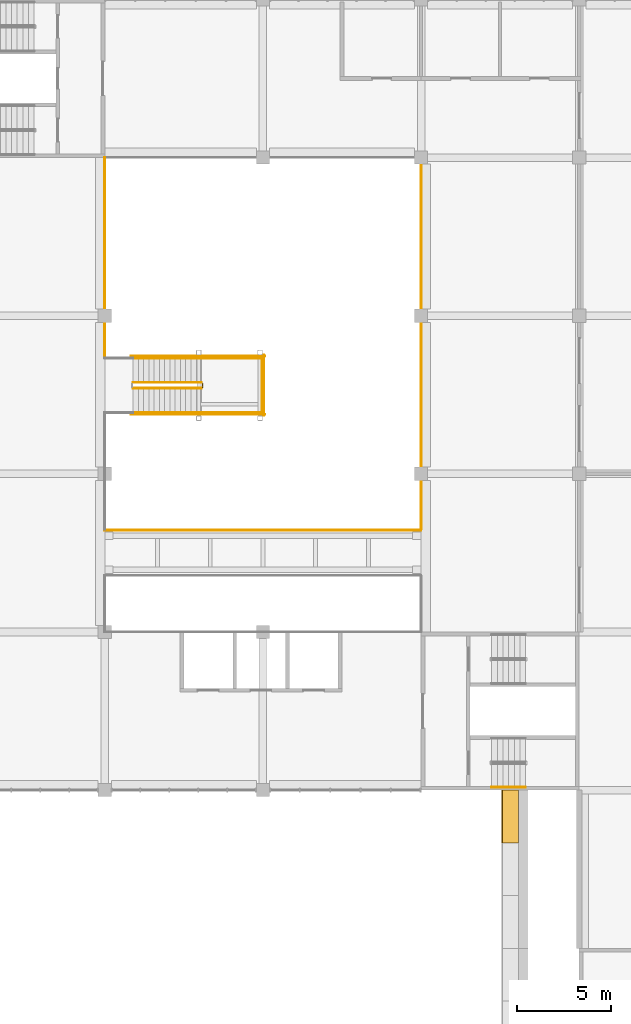
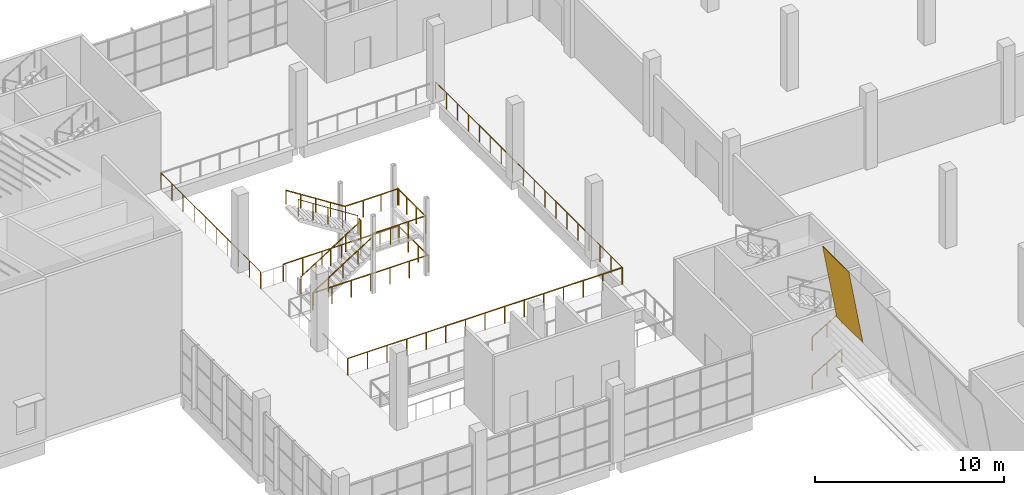
# One storey, part 70 of 82: 16 railings, 1 covering.
"""IFC4 building model written with IfcOpenShell, lengths in metres."""

from ifc_helpers import new_model, si_unit, direction, frame, origin, origin_2d, place, context, subcontext, project, spatial, polyline, circle, outline, extrude, material, layer, layer_set, type_object, element, save


model = new_model("IFC4")

# Units and contexts
model_context = context("Model", 3, precision=1e-05, world=origin(), true_north=direction((0.0, 1.0)))
body_context = subcontext(model_context, "Body", "Model", "MODEL_VIEW")
ifc_project = project(units=[si_unit("LENGTHUNIT", "METRE"), si_unit("AREAUNIT", "SQUARE_METRE"), si_unit("VOLUMEUNIT", "CUBIC_METRE"), si_unit("PLANEANGLEUNIT", "RADIAN"), si_unit("MASSUNIT", "GRAM", prefix="KILO")], contexts=[model_context])

# Site, building, storey
site_placement = place(None, origin())
site = spatial("IfcSite", under=ifc_project, at=site_placement, CompositionType="ELEMENT")
building_placement = place(site_placement, origin())
building = spatial("IfcBuilding", under=site, at=building_placement, Name="Almond Square Museum", CompositionType="ELEMENT")
storey_placement = place(building_placement, frame((0.0, 0.0, 20.0)))
storey = spatial("IfcBuildingStorey", under=building, at=storey_placement, Name="L03", CompositionType="ELEMENT", Elevation=20.0)

# Railings
ifc_material_1 = material(Name="Laminated glass and stainless steel", Category="steel")
railing_type_1 = type_object("IfcRailingType", Name="Atrium bridge guard 1100", PredefinedType="GUARDRAIL", material=ifc_material_1)
railing_1_placement = place(storey_placement, frame((81.60009765625, 81.0, 0.0)))
element("IfcRailing", 1, at=railing_1_placement, inside=storey, type_object=railing_type_1, Name="BR-L03-1 bridge guard north", PredefinedType="GUARDRAIL", context=body_context, shape_type="SweptSolid", body=[
    extrude(circle(Radius=0.02392578125, at=origin_2d()), frame((0.0, 0.0, 1.076171875), z_axis=(1.0, 0.0, 0.0), x_axis=(0.0, 1.0, 0.0)), (0.0, 0.0, 1.0), 16.7998046875),
    extrude(circle(Radius=0.02099609375, at=origin_2d()), origin(), (0.0, 0.0, 1.0), 1.052001953125),
    extrude(circle(Radius=0.02099609375, at=origin_2d()), frame((1.199951171875, 0.0, 0.0)), (0.0, 0.0, 1.0), 1.052001953125),
    extrude(circle(Radius=0.02099609375, at=origin_2d()), frame((2.39990234375, 0.0, 0.0)), (0.0, 0.0, 1.0), 1.052001953125),
    extrude(circle(Radius=0.02099609375, at=origin_2d()), frame((3.599853515625, 0.0, 0.0)), (0.0, 0.0, 1.0), 1.052001953125),
    extrude(circle(Radius=0.02099609375, at=origin_2d()), frame((4.800048828125, 0.0, 0.0)), (0.0, 0.0, 1.0), 1.052001953125),
    extrude(circle(Radius=0.02099609375, at=origin_2d()), frame((6.0, 0.0, 0.0)), (0.0, 0.0, 1.0), 1.052001953125),
    extrude(circle(Radius=0.02099609375, at=origin_2d()), frame((7.199951171875, 0.0, 0.0)), (0.0, 0.0, 1.0), 1.052001953125),
    extrude(circle(Radius=0.02099609375, at=origin_2d()), frame((8.39990234375, 0.0, 0.0)), (0.0, 0.0, 1.0), 1.052001953125),
    extrude(circle(Radius=0.02099609375, at=origin_2d()), frame((9.599853515625, 0.0, 0.0)), (0.0, 0.0, 1.0), 1.052001953125),
    extrude(circle(Radius=0.02099609375, at=origin_2d()), frame((10.7998046875, 0.0, 0.0)), (0.0, 0.0, 1.0), 1.052001953125),
    extrude(circle(Radius=0.02099609375, at=origin_2d()), frame((11.999755859375, 0.0, 0.0)), (0.0, 0.0, 1.0), 1.052001953125),
    extrude(circle(Radius=0.02099609375, at=origin_2d()), frame((13.199951171875, 0.0, 0.0)), (0.0, 0.0, 1.0), 1.052001953125),
    extrude(circle(Radius=0.02099609375, at=origin_2d()), frame((14.39990234375, 0.0, 0.0)), (0.0, 0.0, 1.0), 1.052001953125),
    extrude(circle(Radius=0.02099609375, at=origin_2d()), frame((15.599853515625, 0.0, 0.0)), (0.0, 0.0, 1.0), 1.052001953125),
    extrude(circle(Radius=0.02099609375, at=origin_2d()), frame((16.7998046875, 0.0, 0.0)), (0.0, 0.0, 1.0), 1.052001953125),
])
ifc_material_2 = material(Name="Laminated glass and stainless steel", Category="steel")
railing_type_2 = type_object("IfcRailingType", Name="Atrium guard 1100 glass balustrade", PredefinedType="GUARDRAIL", material=ifc_material_2)
railing_2_placement = place(storey_placement, frame((81.60009765625, 90.25, 0.0)))
element("IfcRailing", 2, at=railing_2_placement, inside=storey, type_object=railing_type_2, Name="L03 atrium guard 3", PredefinedType="GUARDRAIL", context=body_context, shape_type="SweptSolid", body=[
    extrude(circle(Radius=0.02392578125, at=origin_2d()), frame((0.0, 0.0, 1.076171875), z_axis=(0.0, 1.0, 0.0), x_axis=(-1.0, 0.0, 0.0)), (0.0, 0.0, 1.0), 10.550048828125),
    extrude(circle(Radius=0.02099609375, at=origin_2d()), origin(), (0.0, 0.0, 1.0), 1.052001953125),
    extrude(circle(Radius=0.02099609375, at=origin_2d()), frame((0.0, 1.172119140625, 0.0)), (0.0, 0.0, 1.0), 1.052001953125),
    extrude(circle(Radius=0.02099609375, at=origin_2d()), frame((0.0, 2.344482421875, 0.0)), (0.0, 0.0, 1.0), 1.052001953125),
    extrude(circle(Radius=0.02099609375, at=origin_2d()), frame((0.0, 3.5166015625, 0.0)), (0.0, 0.0, 1.0), 1.052001953125),
    extrude(circle(Radius=0.02099609375, at=origin_2d()), frame((0.0, 4.68896484375, 0.0)), (0.0, 0.0, 1.0), 1.052001953125),
    extrude(circle(Radius=0.02099609375, at=origin_2d()), frame((0.0, 5.861083984375, 0.0)), (0.0, 0.0, 1.0), 1.052001953125),
    extrude(circle(Radius=0.02099609375, at=origin_2d()), frame((0.0, 7.033447265625, 0.0)), (0.0, 0.0, 1.0), 1.052001953125),
    extrude(circle(Radius=0.02099609375, at=origin_2d()), frame((0.0, 8.20556640625, 0.0)), (0.0, 0.0, 1.0), 1.052001953125),
    extrude(circle(Radius=0.02099609375, at=origin_2d()), frame((0.0, 9.3779296875, 0.0)), (0.0, 0.0, 1.0), 1.052001953125),
    extrude(circle(Radius=0.02099609375, at=origin_2d()), frame((0.0, 10.550048828125, 0.0)), (0.0, 0.0, 1.0), 1.052001953125),
])
railing_3_placement = place(storey_placement, frame((98.39990234375, 81.050048828125, 0.0)))
element("IfcRailing", 3, at=railing_3_placement, inside=storey, type_object=railing_type_2, Name="L03 atrium guard 5", PredefinedType="GUARDRAIL", context=body_context, shape_type="SweptSolid", body=[
    extrude(circle(Radius=0.02392578125, at=origin_2d()), frame((0.0, 0.0, 1.076171875), z_axis=(0.0, 1.0, 0.0), x_axis=(-1.0, 0.0, 0.0)), (0.0, 0.0, 1.0), 19.75),
    extrude(circle(Radius=0.02099609375, at=origin_2d()), origin(), (0.0, 0.0, 1.0), 1.052001953125),
    extrude(circle(Radius=0.02099609375, at=origin_2d()), frame((0.0, 1.161865234375, 0.0)), (0.0, 0.0, 1.0), 1.052001953125),
    extrude(circle(Radius=0.02099609375, at=origin_2d()), frame((0.0, 2.323486328125, 0.0)), (0.0, 0.0, 1.0), 1.052001953125),
    extrude(circle(Radius=0.02099609375, at=origin_2d()), frame((0.0, 3.4853515625, 0.0)), (0.0, 0.0, 1.0), 1.052001953125),
    extrude(circle(Radius=0.02099609375, at=origin_2d()), frame((0.0, 4.64697265625, 0.0)), (0.0, 0.0, 1.0), 1.052001953125),
    extrude(circle(Radius=0.02099609375, at=origin_2d()), frame((0.0, 5.808837890625, 0.0)), (0.0, 0.0, 1.0), 1.052001953125),
    extrude(circle(Radius=0.02099609375, at=origin_2d()), frame((0.0, 6.970703125, 0.0)), (0.0, 0.0, 1.0), 1.052001953125),
    extrude(circle(Radius=0.02099609375, at=origin_2d()), frame((0.0, 8.13232421875, 0.0)), (0.0, 0.0, 1.0), 1.052001953125),
    extrude(circle(Radius=0.02099609375, at=origin_2d()), frame((0.0, 9.294189453125, 0.0)), (0.0, 0.0, 1.0), 1.052001953125),
    extrude(circle(Radius=0.02099609375, at=origin_2d()), frame((0.0, 10.455810546875, 0.0)), (0.0, 0.0, 1.0), 1.052001953125),
    extrude(circle(Radius=0.02099609375, at=origin_2d()), frame((0.0, 11.61767578125, 0.0)), (0.0, 0.0, 1.0), 1.052001953125),
    extrude(circle(Radius=0.02099609375, at=origin_2d()), frame((0.0, 12.779296875, 0.0)), (0.0, 0.0, 1.0), 1.052001953125),
    extrude(circle(Radius=0.02099609375, at=origin_2d()), frame((0.0, 13.941162109375, 0.0)), (0.0, 0.0, 1.0), 1.052001953125),
    extrude(circle(Radius=0.02099609375, at=origin_2d()), frame((0.0, 15.10302734375, 0.0)), (0.0, 0.0, 1.0), 1.052001953125),
    extrude(circle(Radius=0.02099609375, at=origin_2d()), frame((0.0, 16.2646484375, 0.0)), (0.0, 0.0, 1.0), 1.052001953125),
    extrude(circle(Radius=0.02099609375, at=origin_2d()), frame((0.0, 17.426513671875, 0.0)), (0.0, 0.0, 1.0), 1.052001953125),
    extrude(circle(Radius=0.02099609375, at=origin_2d()), frame((0.0, 18.588134765625, 0.0)), (0.0, 0.0, 1.0), 1.052001953125),
    extrude(circle(Radius=0.02099609375, at=origin_2d()), frame((0.0, 19.75, 0.0)), (0.0, 0.0, 1.0), 1.052001953125),
])

# Covering
ifc_material_3 = material(Name="Cedar timber sheathing panel", Category="wood")
ifc_layer = layer(ifc_material_3, 0.030029296875)
ifc_layer_set = layer_set([ifc_layer], Name="Cedar timber sheathing panel")
covering_type = type_object("IfcCoveringType", Name="Louvre rain-screen backing panel 30", PredefinedType="CLADDING", material=ifc_layer_set)
covering_placement = place(storey_placement, frame((103.5537109375, 64.39990234375, 4.469970703125), z_axis=(0.984808947576, 0.0, 0.173641402823), x_axis=(0.0, 1.0, 0.0)))
element("IfcCovering", 4, at=covering_placement, inside=storey, type_object=covering_type, Name="Louvre rain-screen backing panel W06.06", PredefinedType="CLADDING", context=body_context, shape_type="SweptSolid", body=[
    extrude(outline(polyline([(0.0, 0.0), (2.800048828125, 0.0), (2.800048828125, 4.935076426587713), (0.0, 4.935076426587713), (0.0, 0.0)])), frame((0.0, 0.0, -0.01513671875)), (0.0, 0.0, 1.0), 0.030029296875),
])

# Railings
ifc_material_4 = material(Name="Stainless steel and laminated glass", Category="steel")
railing_type_3 = type_object("IfcRailingType", Name="Stair guard 1100 steel and glass", PredefinedType="GUARDRAIL", material=ifc_material_4)
railing_4_placement = place(storey_placement, frame((83.10009765625, 88.550048828125, 0.178466796875)))
element("IfcRailing", 5, at=railing_4_placement, inside=storey, type_object=railing_type_3, Name="L03 ST-F stair guard 1", PredefinedType="GUARDRAIL", context=body_context, shape_type="SweptSolid", body=[
    extrude(circle(Radius=0.02392578125, at=origin_2d()), frame((0.0, 0.0, 1.076171875), z_axis=(0.843111507901, 0.0, 0.53773877045), x_axis=(0.0, 1.0, 0.0)), (0.0, 0.0, 1.0), 4.317138671875),
    extrude(circle(Radius=0.02099609375, at=origin_2d()), origin(), (0.0, 0.0, 1.0), 1.052001953125),
    extrude(circle(Radius=0.02099609375, at=origin_2d()), frame((0.909912109375, 0.0, 0.580322265625)), (0.0, 0.0, 1.0), 1.052001953125),
    extrude(circle(Radius=0.02099609375, at=origin_2d()), frame((1.81982421875, 0.0, 1.16064453125)), (0.0, 0.0, 1.0), 1.052001953125),
    extrude(circle(Radius=0.02099609375, at=origin_2d()), frame((2.72998046875, 0.0, 1.7412109375)), (0.0, 0.0, 1.0), 1.052001953125),
    extrude(circle(Radius=0.02099609375, at=origin_2d()), frame((3.639892578125, 0.0, 2.321533203125)), (0.0, 0.0, 1.0), 1.052001953125),
])
railing_5_placement = place(storey_placement, frame((86.7900390625, 88.60009765625, 2.5)))
element("IfcRailing", 6, at=railing_5_placement, inside=storey, type_object=railing_type_3, Name="L03 ST-F stair guard 2", PredefinedType="GUARDRAIL", context=body_context, shape_type="SweptSolid", body=[
    extrude(circle(Radius=0.02392578125, at=origin_2d()), frame((0.0, 0.0, 1.076171875), z_axis=(0.0, 1.0, 0.0), x_axis=(-1.0, 0.0, 0.0)), (0.0, 0.0, 1.0), 0.199951171875),
    extrude(circle(Radius=0.02099609375, at=origin_2d()), origin(), (0.0, 0.0, 1.0), 1.052001953125),
    extrude(circle(Radius=0.02099609375, at=origin_2d()), frame((0.0, 0.199951171875, 0.0)), (0.0, 0.0, 1.0), 1.052001953125),
])
for number, where, name in (
    (7, (86.739990234375, 87.25, 2.5), "L03 ST-F stair guard 3"),
    (8, (86.739990234375, 90.14990234375, 2.5), "L03 ST-F stair guard 4"),
):
    element("IfcRailing", number, at=place(storey_placement, frame(where)), inside=storey, type_object=railing_type_3, Name=name, PredefinedType="GUARDRAIL", context=body_context, shape_type="SweptSolid", body=[
        extrude(circle(Radius=0.02392578125, at=origin_2d()), frame((0.0, 0.0, 1.076171875), z_axis=(1.0, 0.0, 0.0), x_axis=(0.0, 1.0, 0.0)), (0.0, 0.0, 1.0), 3.260009765625),
        extrude(circle(Radius=0.02099609375, at=origin_2d()), origin(), (0.0, 0.0, 1.0), 1.052001953125),
        extrude(circle(Radius=0.02099609375, at=origin_2d()), frame((1.086669921875, 0.0, 0.0)), (0.0, 0.0, 1.0), 1.052001953125),
        extrude(circle(Radius=0.02099609375, at=origin_2d()), frame((2.17333984375, 0.0, 0.0)), (0.0, 0.0, 1.0), 1.052001953125),
        extrude(circle(Radius=0.02099609375, at=origin_2d()), frame((3.260009765625, 0.0, 0.0)), (0.0, 0.0, 1.0), 1.052001953125),
    ])
railing_6_placement = place(storey_placement, frame((89.949951171875, 87.199951171875, 2.5)))
element("IfcRailing", 9, at=railing_6_placement, inside=storey, type_object=railing_type_3, Name="L03 ST-F stair guard 5", PredefinedType="GUARDRAIL", context=body_context, shape_type="SweptSolid", body=[
    extrude(circle(Radius=0.02392578125, at=origin_2d()), frame((0.0, 0.0, 1.076171875), z_axis=(0.0, 1.0, 0.0), x_axis=(-1.0, 0.0, 0.0)), (0.0, 0.0, 1.0), 3.0),
    extrude(circle(Radius=0.02099609375, at=origin_2d()), origin(), (0.0, 0.0, 1.0), 1.052001953125),
    extrude(circle(Radius=0.02099609375, at=origin_2d()), frame((0.0, 1.0, 0.0)), (0.0, 0.0, 1.0), 1.052001953125),
    extrude(circle(Radius=0.02099609375, at=origin_2d()), frame((0.0, 2.0, 0.0)), (0.0, 0.0, 1.0), 1.052001953125),
    extrude(circle(Radius=0.02099609375, at=origin_2d()), frame((0.0, 3.0, 0.0)), (0.0, 0.0, 1.0), 1.052001953125),
])
railing_7_placement = place(storey_placement, frame((86.739990234375, 88.85009765625, 2.678466796875)))
element("IfcRailing", 10, at=railing_7_placement, inside=storey, type_object=railing_type_3, Name="L03 ST-F stair guard 6", PredefinedType="GUARDRAIL", context=body_context, shape_type="SweptSolid", body=[
    extrude(circle(Radius=0.02392578125, at=origin_2d()), frame((0.0, 0.0, 1.076171875), z_axis=(-0.843111507901, 0.0, 0.53773877045), x_axis=(0.0, -1.0, 0.0)), (0.0, 0.0, 1.0), 4.317138671875),
    extrude(circle(Radius=0.02099609375, at=origin_2d()), origin(), (0.0, 0.0, 1.0), 1.052001953125),
    extrude(circle(Radius=0.02099609375, at=origin_2d()), frame((-0.909912109375, 0.0, 0.580322265625)), (0.0, 0.0, 1.0), 1.052001953125),
    extrude(circle(Radius=0.02099609375, at=origin_2d()), frame((-1.81982421875, 0.0, 1.16064453125)), (0.0, 0.0, 1.0), 1.052001953125),
    extrude(circle(Radius=0.02099609375, at=origin_2d()), frame((-2.72998046875, 0.0, 1.7412109375)), (0.0, 0.0, 1.0), 1.052001953125),
    extrude(circle(Radius=0.02099609375, at=origin_2d()), frame((-3.639892578125, 0.0, 2.321533203125)), (0.0, 0.0, 1.0), 1.052001953125),
])
for number, where, name in (
    (11, (83.0, 87.14990234375, 0.0), "L03 ST-F stair guard 10"),
    (12, (83.0, 90.25, 0.0), "L03 ST-F stair guard 11"),
):
    element("IfcRailing", number, at=place(storey_placement, frame(where)), inside=storey, type_object=railing_type_3, Name=name, PredefinedType="GUARDRAIL", context=body_context, shape_type="SweptSolid", body=[
        extrude(circle(Radius=0.02392578125, at=origin_2d()), frame((0.0, 0.0, 1.076171875), z_axis=(1.0, 0.0, 0.0), x_axis=(0.0, 1.0, 0.0)), (0.0, 0.0, 1.0), 7.10009765625),
        extrude(circle(Radius=0.02099609375, at=origin_2d()), origin(), (0.0, 0.0, 1.0), 1.052001953125),
        extrude(circle(Radius=0.02099609375, at=origin_2d()), frame((1.183349609375, 0.0, 0.0)), (0.0, 0.0, 1.0), 1.052001953125),
        extrude(circle(Radius=0.02099609375, at=origin_2d()), frame((2.36669921875, 0.0, 0.0)), (0.0, 0.0, 1.0), 1.052001953125),
        extrude(circle(Radius=0.02099609375, at=origin_2d()), frame((3.550048828125, 0.0, 0.0)), (0.0, 0.0, 1.0), 1.052001953125),
        extrude(circle(Radius=0.02099609375, at=origin_2d()), frame((4.7333984375, 0.0, 0.0)), (0.0, 0.0, 1.0), 1.052001953125),
        extrude(circle(Radius=0.02099609375, at=origin_2d()), frame((5.916748046875, 0.0, 0.0)), (0.0, 0.0, 1.0), 1.052001953125),
        extrude(circle(Radius=0.02099609375, at=origin_2d()), frame((7.10009765625, 0.0, 0.0)), (0.0, 0.0, 1.0), 1.052001953125),
    ])
railing_8_placement = place(storey_placement, frame((90.050048828125, 87.10009765625, 0.0)))
element("IfcRailing", 13, at=railing_8_placement, inside=storey, type_object=railing_type_3, Name="L03 ST-F stair guard 12", PredefinedType="GUARDRAIL", context=body_context, shape_type="SweptSolid", body=[
    extrude(circle(Radius=0.02392578125, at=origin_2d()), frame((0.0, 0.0, 1.076171875), z_axis=(0.0, 1.0, 0.0), x_axis=(-1.0, 0.0, 0.0)), (0.0, 0.0, 1.0), 3.199951171875),
    extrude(circle(Radius=0.02099609375, at=origin_2d()), origin(), (0.0, 0.0, 1.0), 1.052001953125),
    extrude(circle(Radius=0.02099609375, at=origin_2d()), frame((0.0, 1.066650390625, 0.0)), (0.0, 0.0, 1.0), 1.052001953125),
    extrude(circle(Radius=0.02099609375, at=origin_2d()), frame((0.0, 2.13330078125, 0.0)), (0.0, 0.0, 1.0), 1.052001953125),
    extrude(circle(Radius=0.02099609375, at=origin_2d()), frame((0.0, 3.199951171875, 0.0)), (0.0, 0.0, 1.0), 1.052001953125),
])
ifc_material_5 = material(Name="Stainless steel", Category="steel")
railing_type_4 = type_object("IfcRailingType", Name="Stair handrail 900 steel", PredefinedType="HANDRAIL", material=ifc_material_5)
for number, where, name in (
    (14, (102.14990234375, 67.35498046875, 0.178466796875), "L03 ST-11 stair handrail 1"),
    (15, (102.14990234375, 67.35498046875, 2.678466796875), "L03 ST-11 stair handrail 3"),
):
    element("IfcRailing", number, at=place(storey_placement, frame(where)), inside=storey, type_object=railing_type_4, Name=name, PredefinedType="HANDRAIL", context=body_context, shape_type="SweptSolid", body=[
        extrude(circle(Radius=0.02392578125, at=origin_2d()), frame((0.0, 0.0, 0.8759765625), z_axis=(0.859277029364, 0.0, 0.511510495305), x_axis=(0.0, 1.0, 0.0)), (0.0, 0.0, 1.0), 2.0947265625),
        extrude(circle(Radius=0.02099609375, at=origin_2d()), origin(), (0.0, 0.0, 1.0), 0.851806640625),
        extrude(circle(Radius=0.02099609375, at=origin_2d()), frame((0.89990234375, 0.0, 0.53564453125)), (0.0, 0.0, 1.0), 0.851806640625),
        extrude(circle(Radius=0.02099609375, at=origin_2d()), frame((1.800048828125, 0.0, 1.071533203125)), (0.0, 0.0, 1.0), 0.851806640625),
    ])
railing_9_placement = place(storey_placement, frame((83.10009765625, 87.25, 0.178466796875)))
element("IfcRailing", 16, at=railing_9_placement, inside=storey, type_object=railing_type_4, Name="L03 ST-F stair handrail 1", PredefinedType="HANDRAIL", context=body_context, shape_type="SweptSolid", body=[
    extrude(circle(Radius=0.02392578125, at=origin_2d()), frame((0.0, 0.0, 0.8759765625), z_axis=(0.843111507901, 0.0, 0.53773877045), x_axis=(0.0, 1.0, 0.0)), (0.0, 0.0, 1.0), 4.317138671875),
    extrude(circle(Radius=0.02099609375, at=origin_2d()), origin(), (0.0, 0.0, 1.0), 0.851806640625),
    extrude(circle(Radius=0.02099609375, at=origin_2d()), frame((0.909912109375, 0.0, 0.580322265625)), (0.0, 0.0, 1.0), 0.851806640625),
    extrude(circle(Radius=0.02099609375, at=origin_2d()), frame((1.81982421875, 0.0, 1.16064453125)), (0.0, 0.0, 1.0), 0.851806640625),
    extrude(circle(Radius=0.02099609375, at=origin_2d()), frame((2.72998046875, 0.0, 1.7412109375)), (0.0, 0.0, 1.0), 0.851806640625),
    extrude(circle(Radius=0.02099609375, at=origin_2d()), frame((3.639892578125, 0.0, 2.321533203125)), (0.0, 0.0, 1.0), 0.851806640625),
])
railing_10_placement = place(storey_placement, frame((86.739990234375, 90.14990234375, 2.678466796875)))
element("IfcRailing", 17, at=railing_10_placement, inside=storey, type_object=railing_type_4, Name="L03 ST-F stair handrail 2", PredefinedType="HANDRAIL", context=body_context, shape_type="SweptSolid", body=[
    extrude(circle(Radius=0.02392578125, at=origin_2d()), frame((0.0, 0.0, 0.8759765625), z_axis=(-0.843111507901, 0.0, 0.53773877045), x_axis=(0.0, -1.0, 0.0)), (0.0, 0.0, 1.0), 4.317138671875),
    extrude(circle(Radius=0.02099609375, at=origin_2d()), origin(), (0.0, 0.0, 1.0), 0.851806640625),
    extrude(circle(Radius=0.02099609375, at=origin_2d()), frame((-0.909912109375, 0.0, 0.580322265625)), (0.0, 0.0, 1.0), 0.851806640625),
    extrude(circle(Radius=0.02099609375, at=origin_2d()), frame((-1.81982421875, 0.0, 1.16064453125)), (0.0, 0.0, 1.0), 0.851806640625),
    extrude(circle(Radius=0.02099609375, at=origin_2d()), frame((-2.72998046875, 0.0, 1.7412109375)), (0.0, 0.0, 1.0), 0.851806640625),
    extrude(circle(Radius=0.02099609375, at=origin_2d()), frame((-3.639892578125, 0.0, 2.321533203125)), (0.0, 0.0, 1.0), 0.851806640625),
])

save(model, "model.ifc")
